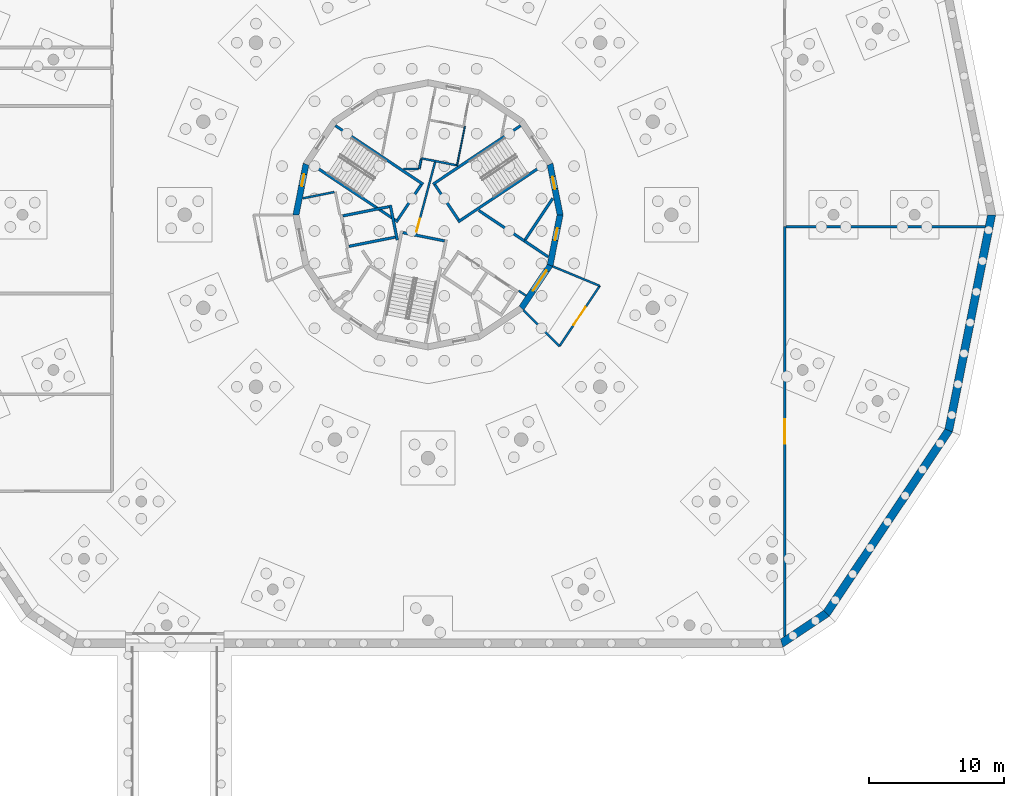
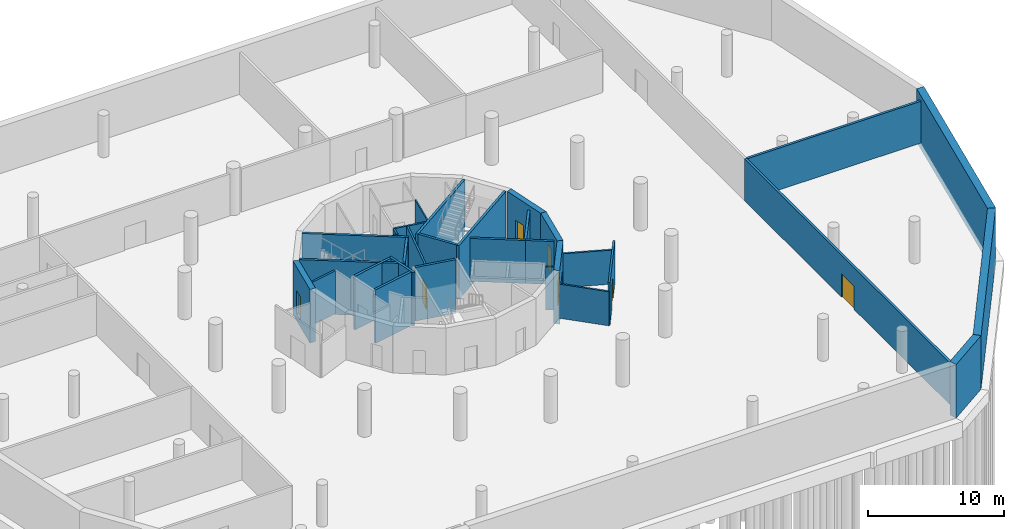
# One storey, part 5 of 8: 32 walls, 7 doors, 7 openings.
"""IFC4 building model written with IfcOpenShell, lengths in metres."""

from ifc_helpers import new_model, si_unit, direction, frame, frame_2d, origin, place, context, subcontext, project, spatial, polyline, rectangle, outline, extrude, material, layer, layer_set, type_object, element, fill, save


model = new_model("IFC4")

# Units and contexts
model_context = context("Model", 3, precision=1e-05, world=origin(), true_north=direction((0.0, 1.0)))
body_context = subcontext(model_context, "Body", "Model", "MODEL_VIEW")
ifc_project = project(units=[si_unit("LENGTHUNIT", "METRE"), si_unit("AREAUNIT", "SQUARE_METRE"), si_unit("VOLUMEUNIT", "CUBIC_METRE"), si_unit("PLANEANGLEUNIT", "RADIAN"), si_unit("MASSUNIT", "GRAM", prefix="KILO")], contexts=[model_context])

# Site, building, storey
site_placement = place(None, origin())
site = spatial("IfcSite", under=ifc_project, at=site_placement, CompositionType="ELEMENT")
building_placement = place(site_placement, origin())
building = spatial("IfcBuilding", under=site, at=building_placement, Name="Ceibo Conservatory and Research Tower", CompositionType="ELEMENT")
storey_placement = place(building_placement, frame((0.0, 0.0, -4.199951171875)))
storey = spatial("IfcBuildingStorey", under=building, at=storey_placement, Name="B1", CompositionType="ELEMENT", Elevation=-4.199951171875)

# Wall
ifc_material_1 = material(Name="Masonry blockwork", Category="masonry")
ifc_layer_1 = layer(ifc_material_1, 0.199951171875)
ifc_layer_set_1 = layer_set([ifc_layer_1], Name="Masonry blockwork")
wall_type_1 = type_object("IfcWallType", Name="Compartment wall 200 EI 120", PredefinedType="SOLIDWALL", material=ifc_layer_set_1)
wall_1_placement = place(storey_placement, frame((89.233154296875, 119.1201171875, 0.0), z_axis=(0.0, 0.0, 1.0), x_axis=(-1.0, 0.0, 0.0)))
element("IfcWall", 1, at=wall_1_placement, inside=storey, type_object=wall_type_1, Name="Partition B1.022", PredefinedType="SOLIDWALL", context=body_context, shape_type="SweptSolid", body=[
    extrude(rectangle(XDim=14.75, YDim=0.199951171875, at=frame_2d((7.375, 0.0))), origin(), (0.0, 0.0, 1.0), 3.75),
])

# Wall, opening, door
wall_2_placement = place(storey_placement, frame((74.38818359375, 88.791259765625, 0.0), z_axis=(0.0, 0.0, 1.0), x_axis=(0.0, 1.0, 0.0)))
wall_2 = element("IfcWall", 2, at=wall_2_placement, inside=storey, type_object=wall_type_1, Name="Partition B1.024", PredefinedType="SOLIDWALL", context=body_context, shape_type="SweptSolid", body=[
    extrude(rectangle(XDim=30.328857421875, YDim=0.199951171875, at=frame_2d((15.16455078125, 0.0))), origin(), (0.0, 0.0, 1.0), 3.75),
])
opening_1_placement = place(wall_2_placement, frame((14.264404296875, 0.0, 0.0)))
opening_1 = element("IfcOpeningElement", 3, at=opening_1_placement, cuts=wall_2, Name="Opening PB1-11", PredefinedType="OPENING", context=body_context, shape_type="SweptSolid", body=[
    extrude(rectangle(XDim=1.800048828125, YDim=2.10009765625, at=frame_2d((0.89990234375, 1.050048828125))), frame((0.0, 0.10986328125, 0.0), z_axis=(0.0, -1.0, 0.0), x_axis=(1.0, 0.0, 0.0)), (0.0, 0.0, 1.0), 0.219970703125),
])
ifc_material_2 = material(Name="Galvanised sheet steel DX51D", Category="steel")
door_type_1 = type_object("IfcDoorType", Name="Door plant double 1800x2100 EI 120", OperationType="DOUBLE_DOOR_SINGLE_SWING", PredefinedType="DOOR", material=ifc_material_2)
door_1_placement = place(opening_1_placement, origin())
door_1 = element("IfcDoor", 4, at=door_1_placement, inside=storey, type_object=door_type_1, Name="Door PB1-11", OperationType="DOUBLE_DOOR_SINGLE_SWING", OverallHeight=2.10009765625, OverallWidth=1.800048828125, PredefinedType="DOOR", context=body_context, shape_type="SweptSolid", body=[
    extrude(rectangle(XDim=1.800048828125, YDim=2.10009765625, at=frame_2d((0.89990234375, 1.050048828125))), frame((0.0, 0.02490234375, 0.0), z_axis=(0.0, -1.0, 0.0), x_axis=(1.0, 0.0, 0.0)), (0.0, 0.0, 1.0), 0.050048828125),
])
fill(opening_1, door_1)

# Wall
ifc_material_3 = material(Name="Plasterboard on metal studs")
ifc_layer_2 = layer(ifc_material_3, 0.10009765625)
ifc_layer_set_2 = layer_set([ifc_layer_2], Name="Plasterboard on metal studs")
wall_type_2 = type_object("IfcWallType", Name="Core partition 100", PredefinedType="PARTITIONING", material=ifc_layer_set_2)
wall_3_placement = place(storey_placement, frame((50.723876953125, 126.544189453125, 0.0), z_axis=(0.0, 0.0, 1.0), x_axis=(-0.195081327989, -0.980787069384, 0.0)))
element("IfcWall", 5, at=wall_3_placement, inside=storey, type_object=wall_type_2, Name="Core partition B1.P013", PredefinedType="PARTITIONING", context=body_context, shape_type="SweptSolid", body=[
    extrude(rectangle(XDim=2.994873046875, YDim=0.10009765625, at=frame_2d((1.49755859375, 0.0))), origin(), (0.0, 0.0, 1.0), 3.849853515625),
])

# Wall, opening, door
ifc_material_4 = material(Name="Concrete C40/50", Category="concrete")
ifc_layer_3 = layer(ifc_material_4, 0.449951171875)
ifc_layer_set_3 = layer_set([ifc_layer_3], Name="Concrete C40/50")
wall_type_3 = type_object("IfcWallType", Name="Core wall 450 C40", PredefinedType="SHEAR", material=ifc_layer_set_3)
wall_4_placement = place(storey_placement, frame((57.7705078125, 120.0, -0.60009765625), z_axis=(0.0, 0.0, 1.0), x_axis=(-0.195069197673, 0.98078948206, 0.0)))
wall_4 = element("IfcWall", 6, at=wall_4_placement, inside=storey, type_object=wall_type_3, Name="Core wall B1 01", PredefinedType="SHEAR", context=body_context, shape_type="SweptSolid", body=[
    extrude(outline(polyline([(-0.044677734375, -0.22509765625), (3.85693359375, -0.22509765625), (3.767578125, 0.22509765625), (0.044677734375, 0.22509765625), (-0.044677734375, -0.22509765625)])), origin(), (0.0, 0.0, 1.0), 4.800048828125),
])
opening_2_placement = place(wall_4_placement, frame((1.944580078125, 0.0, 0.60009765625)))
opening_2 = element("IfcOpeningElement", 7, at=opening_2_placement, cuts=wall_4, Name="Opening CB1-04", PredefinedType="OPENING", context=body_context, shape_type="SweptSolid", body=[
    extrude(rectangle(XDim=0.89990234375, YDim=2.10009765625, at=frame_2d((0.449951171875, 1.050048828125))), frame((0.0, 0.23486328125, 0.0), z_axis=(0.0, -1.0, 0.0), x_axis=(1.0, 0.0, 0.0)), (0.0, 0.0, 1.0), 0.469970703125),
])
door_type_2 = type_object("IfcDoorType", Name="Riser door 900x2100 EI 60 (left hand)", OperationType="SINGLE_SWING_LEFT", PredefinedType="DOOR", material=ifc_material_2)
door_2_placement = place(opening_2_placement, frame((0.89990234375, 0.0, 0.0), z_axis=(0.0, 0.0, 1.0), x_axis=(-1.0, 0.0, 0.0)))
door_2 = element("IfcDoor", 8, at=door_2_placement, inside=storey, type_object=door_type_2, Name="Store door B1", OperationType="SINGLE_SWING_LEFT", OverallHeight=2.10009765625, OverallWidth=0.89990234375, PredefinedType="DOOR", context=body_context, shape_type="SweptSolid", body=[
    extrude(rectangle(XDim=0.89990234375, YDim=2.10009765625, at=frame_2d((0.449951171875, 1.050048828125))), frame((0.0, 0.02490234375, 0.0), z_axis=(0.0, -1.0, 0.0), x_axis=(1.0, 0.0, 0.0)), (0.0, 0.0, 1.0), 0.050048828125),
])
fill(opening_2, door_2)

wall_5_placement = place(storey_placement, frame((38.97314453125, 123.739013671875, -0.60009765625), z_axis=(0.0, 0.0, 1.0), x_axis=(-0.195069197673, -0.98078948206, 0.0)))
wall_5 = element("IfcWall", 9, at=wall_5_placement, inside=storey, type_object=wall_type_3, Name="Core wall B1 08", PredefinedType="SHEAR", context=body_context, shape_type="SweptSolid", body=[
    extrude(outline(polyline([(-0.044677734375, -0.22509765625), (3.85693359375, -0.22509765625), (3.767578125, 0.22509765625), (0.044677734375, 0.22509765625), (-0.044677734375, -0.22509765625)])), origin(), (0.0, 0.0, 1.0), 4.800048828125),
])
opening_3_placement = place(wall_5_placement, frame((0.74462890625, 0.0, 0.60009765625)))
opening_3 = element("IfcOpeningElement", 10, at=opening_3_placement, cuts=wall_5, Name="Opening CB1-12", PredefinedType="OPENING", context=body_context, shape_type="SweptSolid", body=[
    extrude(rectangle(XDim=0.89990234375, YDim=2.10009765625, at=frame_2d((0.449951171875, 1.050048828125))), frame((0.0, 0.23486328125, 0.0), z_axis=(0.0, -1.0, 0.0), x_axis=(1.0, 0.0, 0.0)), (0.0, 0.0, 1.0), 0.469970703125),
])
door_type_3 = type_object("IfcDoorType", Name="Riser door 900x2100 EI 60 (right hand)", OperationType="SINGLE_SWING_RIGHT", PredefinedType="DOOR", material=ifc_material_2)
door_3_placement = place(opening_3_placement, frame((0.89990234375, 0.0, 0.0), z_axis=(0.0, 0.0, 1.0), x_axis=(-1.0, 0.0, 0.0)))
door_3 = element("IfcDoor", 11, at=door_3_placement, inside=storey, type_object=door_type_3, Name="Store door B1", OperationType="SINGLE_SWING_RIGHT", OverallHeight=2.10009765625, OverallWidth=0.89990234375, PredefinedType="DOOR", context=body_context, shape_type="SweptSolid", body=[
    extrude(rectangle(XDim=0.89990234375, YDim=2.10009765625, at=frame_2d((0.449951171875, 1.050048828125))), frame((0.0, 0.02490234375, 0.0), z_axis=(0.0, -1.0, 0.0), x_axis=(1.0, 0.0, 0.0)), (0.0, 0.0, 1.0), 0.050048828125),
])
fill(opening_3, door_3)

wall_6_placement = place(storey_placement, frame((54.908935546875, 113.091064453125, -0.60009765625), z_axis=(0.0, 0.0, 1.0), x_axis=(0.555542277102, 0.83148829117, 0.0)))
wall_6 = element("IfcWall", 12, at=wall_6_placement, inside=storey, type_object=wall_type_3, Name="Core wall B1 15", PredefinedType="SHEAR", context=body_context, shape_type="SweptSolid", body=[
    extrude(outline(polyline([(-0.044677734375, -0.22509765625), (3.85693359375, -0.22509765625), (3.767578125, 0.22509765625), (0.044677734375, 0.22509765625), (-0.044677734375, -0.22509765625)])), origin(), (0.0, 0.0, 1.0), 4.800048828125),
])
opening_4_placement = place(wall_6_placement, frame((1.544677734375, 0.0, 0.60009765625)))
opening_4 = element("IfcOpeningElement", 13, at=opening_4_placement, cuts=wall_6, Name="Opening CB1-13", PredefinedType="OPENING", context=body_context, shape_type="SweptSolid", body=[
    extrude(rectangle(XDim=1.800048828125, YDim=2.10009765625, at=frame_2d((0.89990234375, 1.050048828125))), frame((0.0, 0.23486328125, 0.0), z_axis=(0.0, -1.0, 0.0), x_axis=(1.0, 0.0, 0.0)), (0.0, 0.0, 1.0), 0.469970703125),
])
door_type_4 = type_object("IfcDoorType", Name="Lobby double door 1800x2100 EI 60", OperationType="DOUBLE_DOOR_SINGLE_SWING", PredefinedType="DOOR", material=ifc_material_2)
door_4_placement = place(opening_4_placement, origin())
door_4 = element("IfcDoor", 14, at=door_4_placement, inside=storey, type_object=door_type_4, Name="Lift Lobby door B1", OperationType="DOUBLE_DOOR_SINGLE_SWING", OverallHeight=2.10009765625, OverallWidth=1.800048828125, PredefinedType="DOOR", context=body_context, shape_type="SweptSolid", body=[
    extrude(rectangle(XDim=1.800048828125, YDim=2.10009765625, at=frame_2d((0.89990234375, 1.050048828125))), frame((0.0, 0.02490234375, 0.0), z_axis=(0.0, -1.0, 0.0), x_axis=(1.0, 0.0, 0.0)), (0.0, 0.0, 1.0), 0.050048828125),
])
fill(opening_4, door_4)

wall_7_placement = place(storey_placement, frame((57.02685546875, 116.260986328125, -0.60009765625), z_axis=(0.0, 0.0, 1.0), x_axis=(0.195069197673, 0.98078948206, 0.0)))
wall_7 = element("IfcWall", 15, at=wall_7_placement, inside=storey, type_object=wall_type_3, Name="Core wall B1 16", PredefinedType="SHEAR", context=body_context, shape_type="SweptSolid", body=[
    extrude(outline(polyline([(-0.044677734375, -0.22509765625), (3.85693359375, -0.22509765625), (3.767578125, 0.22509765625), (0.044677734375, 0.22509765625), (-0.044677734375, -0.22509765625)])), origin(), (0.0, 0.0, 1.0), 4.800048828125),
])
opening_5_placement = place(wall_7_placement, frame((1.894775390625, 0.0, 0.60009765625)))
opening_5 = element("IfcOpeningElement", 16, at=opening_5_placement, cuts=wall_7, Name="Opening CB1-05", PredefinedType="OPENING", context=body_context, shape_type="SweptSolid", body=[
    extrude(rectangle(XDim=0.89990234375, YDim=2.10009765625, at=frame_2d((0.449951171875, 1.050048828125))), frame((0.0, 0.23486328125, 0.0), z_axis=(0.0, -1.0, 0.0), x_axis=(1.0, 0.0, 0.0)), (0.0, 0.0, 1.0), 0.469970703125),
])
door_5_placement = place(opening_5_placement, frame((0.89990234375, 0.0, 0.0), z_axis=(0.0, 0.0, 1.0), x_axis=(-1.0, 0.0, 0.0)))
door_5 = element("IfcDoor", 17, at=door_5_placement, inside=storey, type_object=door_type_2, Name="Electrical Riser door B1", OperationType="SINGLE_SWING_LEFT", OverallHeight=2.10009765625, OverallWidth=0.89990234375, PredefinedType="DOOR", context=body_context, shape_type="SweptSolid", body=[
    extrude(rectangle(XDim=0.89990234375, YDim=2.10009765625, at=frame_2d((0.449951171875, 1.050048828125))), frame((0.0, 0.02490234375, 0.0), z_axis=(0.0, -1.0, 0.0), x_axis=(1.0, 0.0, 0.0)), (0.0, 0.0, 1.0), 0.050048828125),
])
fill(opening_5, door_5)

# Walls
ifc_material_5 = material(Name="Plasterboard on metal studs, fire board")
ifc_layer_4 = layer(ifc_material_5, 0.14990234375)
ifc_layer_set_4 = layer_set([ifc_layer_4], Name="Plasterboard on metal studs, fire board")
wall_type_4 = type_object("IfcWallType", Name="Corridor wall 150 EI 60", PredefinedType="PARTITIONING", material=ifc_layer_set_4)
wall_8_placement = place(storey_placement, frame((41.064208984375, 121.67919921875, 0.0), z_axis=(0.0, 0.0, 1.0), x_axis=(-0.980781272394, -0.195110470559, 0.0)))
element("IfcWall", 18, at=wall_8_placement, inside=storey, type_object=wall_type_4, Name="Core partition B1.P007", PredefinedType="PARTITIONING", context=body_context, shape_type="SweptSolid", body=[
    extrude(rectangle(XDim=2.381103515625, YDim=0.14990234375, at=frame_2d((1.1904296875, 0.0))), origin(), (0.0, 0.0, 1.0), 3.849853515625),
])
wall_9_placement = place(storey_placement, frame((50.099365234375, 123.66064453125, 0.0), z_axis=(0.0, 0.0, 1.0), x_axis=(-0.980775457146, 0.195139700368, 0.0)))
element("IfcWall", 19, at=wall_9_placement, inside=storey, type_object=wall_type_4, Name="Core partition B1.P011", PredefinedType="PARTITIONING", context=body_context, shape_type="SweptSolid", body=[
    extrude(rectangle(XDim=2.644775390625, YDim=0.14990234375, at=frame_2d((1.322265625, 0.0))), origin(), (0.0, 0.0, 1.0), 3.849853515625),
])
wall_10_placement = place(storey_placement, frame((47.49560546875, 124.127685546875, 0.0), z_axis=(0.0, 0.0, 1.0), x_axis=(-0.195103688229, -0.980782621603, 0.0)))
element("IfcWall", 20, at=wall_10_placement, inside=storey, type_object=wall_type_4, Name="Core partition B1.P015", PredefinedType="PARTITIONING", context=body_context, shape_type="SweptSolid", body=[
    extrude(rectangle(XDim=0.741943359375, YDim=0.14990234375, at=frame_2d((0.37109375, 0.0))), origin(), (0.0, 0.0, 1.0), 3.849853515625),
])
wall_11_placement = place(storey_placement, frame((47.30078125, 123.39990234375, 0.0), z_axis=(0.0, 0.0, 1.0), x_axis=(-1.0, 0.0, 0.0)))
element("IfcWall", 21, at=wall_11_placement, inside=storey, type_object=wall_type_4, Name="Core partition B1.P016", PredefinedType="PARTITIONING", context=body_context, shape_type="SweptSolid", body=[
    extrude(rectangle(XDim=1.124267578125, YDim=0.14990234375, at=frame_2d((0.56201171875, 0.0))), origin(), (0.0, 0.0, 1.0), 3.849853515625),
])
wall_12_placement = place(storey_placement, frame((54.7060546875, 114.376708984375, 0.0), z_axis=(0.0, 0.0, 1.0), x_axis=(0.831421626399, -0.555642042286, 0.0)))
element("IfcWall", 22, at=wall_12_placement, inside=storey, type_object=wall_type_4, Name="Core partition B1.P025", PredefinedType="PARTITIONING", context=body_context, shape_type="SweptSolid", body=[
    extrude(rectangle(XDim=0.65771484375, YDim=0.14990234375, at=frame_2d((0.328857421875, 0.0))), origin(), (0.0, 0.0, 1.0), 3.849853515625),
])

# Wall, opening, door
wall_13_placement = place(storey_placement, frame((47.10205078125, 118.595458984375, 0.0), z_axis=(0.0, 0.0, 1.0), x_axis=(0.258818034456, 0.96592609709, 0.0)))
wall_13 = element("IfcWall", 23, at=wall_13_placement, inside=storey, type_object=wall_type_4, Name="Core partition B1.P026", PredefinedType="PARTITIONING", context=body_context, shape_type="SweptSolid", body=[
    extrude(rectangle(XDim=5.509765625, YDim=0.14990234375, at=frame_2d((2.7548828125, 0.0))), origin(), (0.0, 0.0, 1.0), 3.849853515625),
])
opening_6_placement = place(wall_13_placement, frame((0.14990234375, 0.0, 0.0)))
opening_6 = element("IfcOpeningElement", 24, at=opening_6_placement, cuts=wall_13, Name="Opening CB1-17", PredefinedType="OPENING", context=body_context, shape_type="SweptSolid", body=[
    extrude(rectangle(XDim=1.0, YDim=2.10009765625, at=frame_2d((0.5, 1.050048828125))), frame((0.0, 0.0849609375, 0.0), z_axis=(0.0, -1.0, 0.0), x_axis=(1.0, 0.0, 0.0)), (0.0, 0.0, 1.0), 0.169921875),
])
door_type_5 = type_object("IfcDoorType", Name="Lobby door 1000x2100 EI 60 (right hand)", OperationType="SINGLE_SWING_RIGHT", PredefinedType="DOOR", material=ifc_material_2)
door_6_placement = place(opening_6_placement, frame((1.0, 0.0, 0.0), z_axis=(0.0, 0.0, 1.0), x_axis=(-1.0, 0.0, 0.0)))
door_6 = element("IfcDoor", 25, at=door_6_placement, inside=storey, type_object=door_type_5, Name="Door Lift Lobby B1.01", OperationType="SINGLE_SWING_RIGHT", OverallHeight=2.10009765625, OverallWidth=1.0, PredefinedType="DOOR", context=body_context, shape_type="SweptSolid", body=[
    extrude(rectangle(XDim=1.0, YDim=2.10009765625, at=frame_2d((0.5, 1.050048828125))), frame((0.0, 0.02490234375, 0.0), z_axis=(0.0, -1.0, 0.0), x_axis=(1.0, 0.0, 0.0)), (0.0, 0.0, 1.0), 0.050048828125),
])
fill(opening_6, door_6)

# Wall
wall_14_placement = place(storey_placement, frame((57.22021484375, 116.180908203125, 0.0), z_axis=(0.0, 0.0, 1.0), x_axis=(0.923870028546, -0.382706376162, 0.0)))
element("IfcWall", 26, at=wall_14_placement, inside=storey, type_object=wall_type_4, Name="Partition B1.025", PredefinedType="PARTITIONING", context=body_context, shape_type="SweptSolid", body=[
    extrude(rectangle(XDim=3.770263671875, YDim=0.14990234375, at=frame_2d((1.88525390625, 0.0))), origin(), (0.0, 0.0, 1.0), 3.050048828125),
])

# Wall, opening, door
wall_15_placement = place(storey_placement, frame((60.703369140625, 114.738037109375, 0.0), z_axis=(0.0, 0.0, 1.0), x_axis=(-0.555592510383, -0.831454726612, 0.0)))
wall_15 = element("IfcWall", 27, at=wall_15_placement, inside=storey, type_object=wall_type_4, Name="Partition B1.026", PredefinedType="PARTITIONING", context=body_context, shape_type="SweptSolid", body=[
    extrude(rectangle(XDim=5.364990234375, YDim=0.14990234375, at=frame_2d((2.6826171875, 0.0))), origin(), (0.0, 0.0, 1.0), 3.849853515625),
])
opening_7_placement = place(wall_15_placement, frame((1.88232421875, 0.0, 0.0)))
opening_7 = element("IfcOpeningElement", 28, at=opening_7_placement, cuts=wall_15, Name="Opening PB1-12", PredefinedType="OPENING", context=body_context, shape_type="SweptSolid", body=[
    extrude(rectangle(XDim=1.60009765625, YDim=2.10009765625, at=frame_2d((0.800048828125, 1.050048828125))), frame((0.0, 0.0849609375, 0.0), z_axis=(0.0, -1.0, 0.0), x_axis=(1.0, 0.0, 0.0)), (0.0, 0.0, 1.0), 0.169921875),
])
ifc_material_6 = material(Name="Solid timber", Category="wood")
door_type_6 = type_object("IfcDoorType", Name="Door double narrow 1600x2100 EI 60", OperationType="DOUBLE_DOOR_SINGLE_SWING", PredefinedType="DOOR", material=ifc_material_6)
door_7_placement = place(opening_7_placement, origin())
door_7 = element("IfcDoor", 29, at=door_7_placement, inside=storey, type_object=door_type_6, Name="Door PB1-12", OperationType="DOUBLE_DOOR_SINGLE_SWING", OverallHeight=2.10009765625, OverallWidth=1.60009765625, PredefinedType="DOOR", context=body_context, shape_type="SweptSolid", body=[
    extrude(rectangle(XDim=1.60009765625, YDim=2.10009765625, at=frame_2d((0.800048828125, 1.050048828125))), frame((0.0, 0.02490234375, 0.0), z_axis=(0.0, -1.0, 0.0), x_axis=(1.0, 0.0, 0.0)), (0.0, 0.0, 1.0), 0.050048828125),
])
fill(opening_7, door_7)

# Walls
wall_16_placement = place(storey_placement, frame((57.72265625, 110.27734375, 0.0), z_axis=(0.0, 0.0, 1.0), x_axis=(-0.707106781187, 0.707106781187, 0.0)))
element("IfcWall", 30, at=wall_16_placement, inside=storey, type_object=wall_type_4, Name="Partition B1.027", PredefinedType="PARTITIONING", context=body_context, shape_type="SweptSolid", body=[
    extrude(rectangle(XDim=3.77001953125, YDim=0.14990234375, at=frame_2d((1.885009765625, 0.0))), origin(), (0.0, 0.0, 1.0), 3.050048828125),
])
ifc_layer_5 = layer(ifc_material_4, 0.60009765625)
ifc_layer_set_5 = layer_set([ifc_layer_5], Name="Concrete C40/50")
wall_type_5 = type_object("IfcWallType", Name="RC retaining wall 600 C40", PredefinedType="SOLIDWALL", material=ifc_layer_set_5)
wall_17_placement = place(storey_placement, frame((74.1630859375, 88.300048828125, -0.60009765625), z_axis=(0.0, 0.0, 1.0), x_axis=(0.83146646451, 0.555574943995, 0.0)))
element("IfcWall", 31, at=wall_17_placement, inside=storey, type_object=wall_type_5, Name="Retaining wall 10", PredefinedType="SOLIDWALL", context=body_context, shape_type="SweptSolid", body=[
    extrude(outline(polyline([(-0.091064453125, -0.300048828125), (4.051513671875, -0.300048828125), (3.932373046875, 0.300048828125), (0.091064453125, 0.300048828125), (-0.091064453125, -0.300048828125)])), origin(), (0.0, 0.0, 1.0), 4.800048828125),
])
wall_18_placement = place(storey_placement, frame((77.482177734375, 90.517822265625, -0.60009765625), z_axis=(0.0, 0.0, 1.0), x_axis=(0.555565694596, 0.831472644762, 0.0)))
element("IfcWall", 32, at=wall_18_placement, inside=storey, type_object=wall_type_5, Name="Retaining wall 11", PredefinedType="SOLIDWALL", context=body_context, shape_type="SweptSolid", body=[
    extrude(outline(polyline([(-0.0595703125, -0.300048828125), (16.327880859375, -0.300048828125), (16.208740234375, 0.300048828125), (0.0595703125, 0.300048828125), (-0.0595703125, -0.300048828125)])), origin(), (0.0, 0.0, 1.0), 4.800048828125),
])
wall_19_placement = place(storey_placement, frame((86.520263671875, 104.04443359375, -0.60009765625), z_axis=(0.0, 0.0, 1.0), x_axis=(0.195094380607, 0.980784473091, 0.0)))
element("IfcWall", 33, at=wall_19_placement, inside=storey, type_object=wall_type_5, Name="Retaining wall 12", PredefinedType="SOLIDWALL", context=body_context, shape_type="SweptSolid", body=[
    extrude(outline(polyline([(-0.0595703125, -0.300048828125), (16.32763671875, -0.300048828125), (16.20849609375, 0.300048828125), (0.0595703125, 0.300048828125), (-0.0595703125, -0.300048828125)])), origin(), (0.0, 0.0, 1.0), 4.800048828125),
])
ifc_layer_6 = layer(ifc_material_1, 0.199951171875)
ifc_layer_set_6 = layer_set([ifc_layer_6], Name="Masonry blockwork")
wall_type_6 = type_object("IfcWallType", Name="Riser wall 200 EI 120", PredefinedType="SOLIDWALL", material=ifc_layer_set_6)
wall_20_placement = place(storey_placement, frame((55.1259765625, 118.06494140625, 0.0), z_axis=(0.0, 0.0, 1.0), x_axis=(-0.831495502265, 0.555531483998, 0.0)))
element("IfcWall", 34, at=wall_20_placement, inside=storey, type_object=wall_type_6, Name="Core partition B1.P001", PredefinedType="SOLIDWALL", context=body_context, shape_type="SweptSolid", body=[
    extrude(rectangle(XDim=4.065185546875, YDim=0.199951171875, at=frame_2d((2.03271484375, 0.0))), origin(), (0.0, 0.0, 1.0), 3.849853515625),
])
wall_21_placement = place(storey_placement, frame((57.23095703125, 121.21533203125, 0.0), z_axis=(0.0, 0.0, 1.0), x_axis=(-0.555600969312, -0.831449074147, 0.0)))
element("IfcWall", 35, at=wall_21_placement, inside=storey, type_object=wall_type_6, Name="Core partition B1.P002", PredefinedType="SOLIDWALL", context=body_context, shape_type="SweptSolid", body=[
    extrude(rectangle(XDim=3.68896484375, YDim=0.199951171875, at=frame_2d((1.844482421875, 0.0))), origin(), (0.0, 0.0, 1.0), 3.849853515625),
])
wall_22_placement = place(storey_placement, frame((56.884765625, 116.8896484375, 0.0), z_axis=(0.0, 0.0, 1.0), x_axis=(-0.831446094913, 0.555605427667, 0.0)))
element("IfcWall", 36, at=wall_22_placement, inside=storey, type_object=wall_type_6, Name="Core partition B1.P003", PredefinedType="SOLIDWALL", context=body_context, shape_type="SweptSolid", body=[
    extrude(rectangle(XDim=2.115234375, YDim=0.199951171875, at=frame_2d((1.0576171875, 0.0))), origin(), (0.0, 0.0, 1.0), 3.849853515625),
])
ifc_layer_7 = layer(ifc_material_4, 0.199951171875)
ifc_layer_set_7 = layer_set([ifc_layer_7], Name="Concrete C40/50")
wall_type_7 = type_object("IfcWallType", Name="Shaft wall 200 C40", PredefinedType="SHEAR", material=ifc_layer_set_7)
wall_23_placement = place(storey_placement, frame((45.2060546875, 120.71875, -0.60009765625), z_axis=(0.0, 0.0, 1.0), x_axis=(0.195158270522, -0.980771762158, 0.0)))
element("IfcWall", 37, at=wall_23_placement, inside=storey, type_object=wall_type_7, Name="Shaft wall LG1.B B1", PredefinedType="SHEAR", context=body_context, shape_type="SweptSolid", body=[
    extrude(rectangle(XDim=2.64697265625, YDim=0.199951171875, at=frame_2d((1.323486328125, 0.0))), origin(), (0.0, 0.0, 1.0), 4.800048828125),
])
wall_24_placement = place(storey_placement, frame((45.576171875, 118.345458984375, -0.60009765625), z_axis=(0.0, 0.0, 1.0), x_axis=(-0.980781381237, -0.195109923423, 0.0)))
element("IfcWall", 38, at=wall_24_placement, inside=storey, type_object=wall_type_7, Name="Shaft wall LG1.S1 B1", PredefinedType="SHEAR", context=body_context, shape_type="SweptSolid", body=[
    extrude(rectangle(XDim=3.5, YDim=0.199951171875, at=frame_2d((1.75, 0.0))), origin(), (0.0, 0.0, 1.0), 4.800048828125),
])
wall_25_placement = place(storey_placement, frame((45.12744140625, 120.60107421875, -0.60009765625), z_axis=(0.0, 0.0, 1.0), x_axis=(-0.980794727808, -0.195042820694, 0.0)))
element("IfcWall", 39, at=wall_25_placement, inside=storey, type_object=wall_type_7, Name="Shaft wall LG1.S2 B1", PredefinedType="SHEAR", context=body_context, shape_type="SweptSolid", body=[
    extrude(rectangle(XDim=3.499755859375, YDim=0.199951171875, at=frame_2d((1.75, 0.0))), origin(), (0.0, 0.0, 1.0), 4.800048828125),
])
ifc_layer_8 = layer(ifc_material_4, 0.199951171875)
ifc_layer_set_8 = layer_set([ifc_layer_8], Name="Concrete C40/50")
wall_type_8 = type_object("IfcWallType", Name="Stair wall 200 C40", PredefinedType="SHEAR", material=ifc_layer_set_8)
wall_26_placement = place(storey_placement, frame((48.36474609375, 122.25830078125, -0.60009765625), z_axis=(0.0, 0.0, 1.0), x_axis=(0.831476803301, 0.555559470779, 0.0)))
element("IfcWall", 40, at=wall_26_placement, inside=storey, type_object=wall_type_8, Name="Stair wall ST1.W1 B1", PredefinedType="SHEAR", context=body_context, shape_type="SweptSolid", body=[
    extrude(rectangle(XDim=7.7998046875, YDim=0.199951171875, at=frame_2d((3.89990234375, 0.0))), origin(), (0.0, 0.0, 1.0), 4.800048828125),
])
wall_27_placement = place(storey_placement, frame((50.225830078125, 119.472900390625, -0.60009765625), z_axis=(0.0, 0.0, 1.0), x_axis=(0.831486463828, 0.555545012102, 0.0)))
element("IfcWall", 41, at=wall_27_placement, inside=storey, type_object=wall_type_8, Name="Stair wall ST1.W2 B1", PredefinedType="SHEAR", context=body_context, shape_type="SweptSolid", body=[
    extrude(rectangle(XDim=7.800048828125, YDim=0.199951171875, at=frame_2d((3.89990234375, 0.0))), origin(), (0.0, 0.0, 1.0), 4.800048828125),
])
wall_28_placement = place(storey_placement, frame((50.25341796875, 119.611572265625, -0.60009765625), z_axis=(0.0, 0.0, 1.0), x_axis=(-0.55555842186, 0.831477504146, 0.0)))
element("IfcWall", 42, at=wall_28_placement, inside=storey, type_object=wall_type_8, Name="Stair wall ST1.W3 B1", PredefinedType="SHEAR", context=body_context, shape_type="SweptSolid", body=[
    extrude(rectangle(XDim=3.14990234375, YDim=0.199951171875, at=frame_2d((1.574951171875, 0.0))), origin(), (0.0, 0.0, 1.0), 4.800048828125),
])
wall_29_placement = place(storey_placement, frame((45.774169921875, 119.472900390625, -0.60009765625), z_axis=(0.0, 0.0, 1.0), x_axis=(-0.831486463828, 0.555545012102, 0.0)))
element("IfcWall", 43, at=wall_29_placement, inside=storey, type_object=wall_type_8, Name="Stair wall ST2.W1 B1", PredefinedType="SHEAR", context=body_context, shape_type="SweptSolid", body=[
    extrude(rectangle(XDim=7.800048828125, YDim=0.199951171875, at=frame_2d((3.89990234375, 0.0))), origin(), (0.0, 0.0, 1.0), 4.800048828125),
])
wall_30_placement = place(storey_placement, frame((47.63525390625, 122.25830078125, -0.60009765625), z_axis=(0.0, 0.0, 1.0), x_axis=(-0.831476803301, 0.555559470779, 0.0)))
element("IfcWall", 44, at=wall_30_placement, inside=storey, type_object=wall_type_8, Name="Stair wall ST2.W2 B1", PredefinedType="SHEAR", context=body_context, shape_type="SweptSolid", body=[
    extrude(rectangle(XDim=7.7998046875, YDim=0.199951171875, at=frame_2d((3.89990234375, 0.0))), origin(), (0.0, 0.0, 1.0), 4.800048828125),
])
for number, where, z_axis, x_axis, name in (
    (45, (47.49658203125, 122.230712890625, -0.60009765625), (0.0, 0.0, 1.0), (-0.55555842186, -0.831477504146, 0.0), "Stair wall ST2.W3 B1"),
    (46, (46.1318359375, 118.68115234375, -0.60009765625), (0.0, 0.0, 1.0), (0.980785830564, -0.195087556151, 0.0), "Stair wall ST3.W3 B1"),
):
    element("IfcWall", number, at=place(storey_placement, frame(where, z_axis=z_axis, x_axis=x_axis)), inside=storey, type_object=wall_type_8, Name=name, PredefinedType="SHEAR", context=body_context, shape_type="SweptSolid", body=[
        extrude(rectangle(XDim=3.14990234375, YDim=0.199951171875, at=frame_2d((1.574951171875, 0.0))), origin(), (0.0, 0.0, 1.0), 4.800048828125),
    ])

save(model, "model.ifc")
